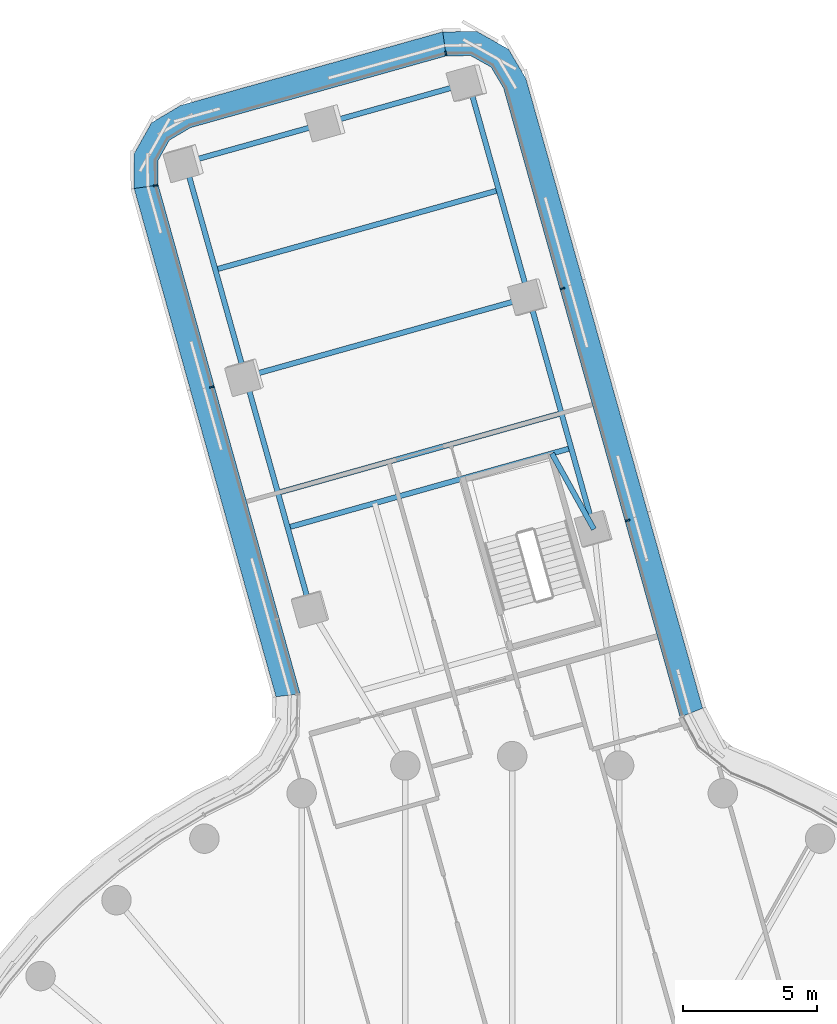
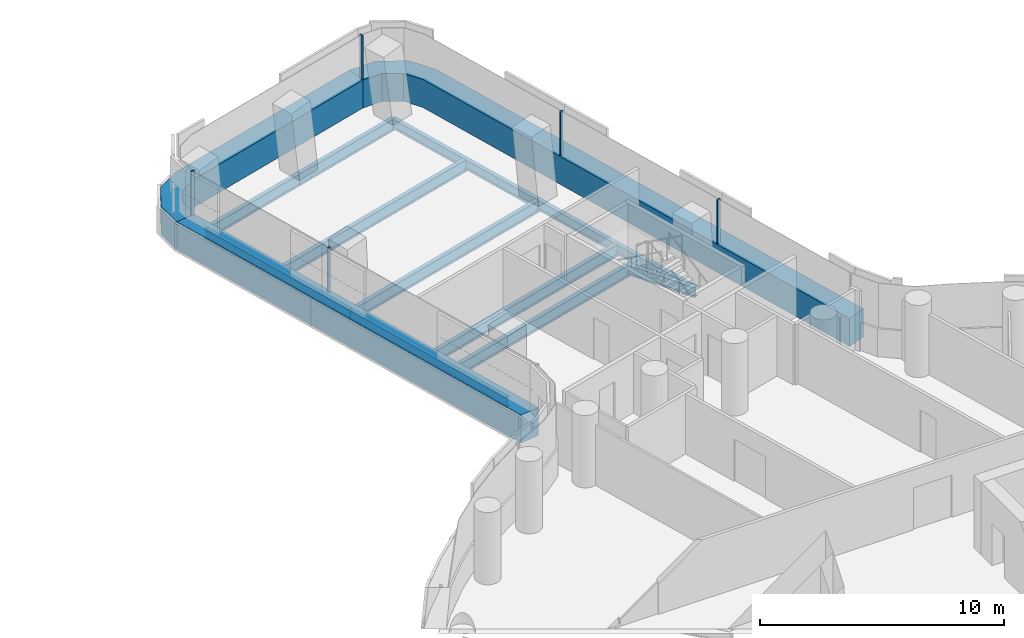
# One storey, part 15 of 30: 11 beams, 8 members, 3 elements without a shape of their own.
"""IFC4 building model written with IfcOpenShell, lengths in metres."""

from ifc_helpers import new_model, si_unit, direction, frame, origin, origin_2d, place, context, subcontext, project, spatial, polyline, rectangle, i_section, outline, extrude, material, layer, layer_set, material_profile, profile_set, type_object, element, aggregate, save


model = new_model("IFC4")

# Units and contexts
model_context = context("Model", 3, precision=1e-05, world=origin(), true_north=direction((0.0, 1.0)))
body_context = subcontext(model_context, "Body", "Model", "MODEL_VIEW")
ifc_project = project(units=[si_unit("LENGTHUNIT", "METRE"), si_unit("AREAUNIT", "SQUARE_METRE"), si_unit("VOLUMEUNIT", "CUBIC_METRE"), si_unit("PLANEANGLEUNIT", "RADIAN"), si_unit("MASSUNIT", "GRAM", prefix="KILO")], contexts=[model_context])

# Site, building, storey
site_placement = place(None, origin())
site = spatial("IfcSite", under=ifc_project, at=site_placement, CompositionType="ELEMENT")
building_placement = place(site_placement, origin())
building = spatial("IfcBuilding", under=site, at=building_placement, Name="Tamarind Cross Interchange Tower", CompositionType="ELEMENT")
storey_placement = place(building_placement, frame((0.0, 0.0, 91.0)))
storey = spatial("IfcBuildingStorey", under=building, at=storey_placement, Name="L21", CompositionType="ELEMENT", Elevation=91.0)

# Beams
ifc_material_1 = material(Name="Steel Q355B", Category="steel")
ifc_material_profile_1 = material_profile(ifc_material_1, i_section(OverallWidth=0.198974609375, OverallDepth=0.49609375, WebThickness=0.009033203125, FlangeThickness=0.013916015625, FilletRadius=0.012939453125, at=origin_2d()), Name="HN 496x199x9x14")
ifc_profile_set_1 = profile_set([ifc_material_profile_1], Name="Steel Q355B")
beam_type_1 = type_object("IfcBeamType", Name="Composite beam HN 496x199x9x14 Q355B", PredefinedType="BEAM", material=ifc_profile_set_1)
beam_1_placement = place(storey_placement, frame((-1.62353515625, 48.147216796875, -0.387939453125), z_axis=(0.270137474776, -0.962821761658, 0.0), x_axis=(0.962821761658, 0.270137474776, 0.0)))
element("IfcBeam", 1, at=beam_1_placement, inside=storey, type_object=beam_type_1, Name="Beam N-edgeem5", PredefinedType="BEAM", context=body_context, shape_type="SweptSolid", body=[
    extrude(i_section(OverallWidth=0.198974609375, OverallDepth=0.49609375, WebThickness=0.009033203125, FlangeThickness=0.013916015625, FilletRadius=0.012939453125, at=origin_2d()), origin(), (0.0, 0.0, 1.0), 8.313720703125),
])
beam_2_placement = place(storey_placement, frame((0.622314453125, 40.142578125, -0.387939453125), z_axis=(0.270124927, -0.96282528208, 0.0), x_axis=(0.96282528208, 0.270124927, 0.0)))
element("IfcBeam", 2, at=beam_2_placement, inside=storey, type_object=beam_type_1, Name="Beam N-edgeem6", PredefinedType="BEAM", context=body_context, shape_type="SweptSolid", body=[
    extrude(i_section(OverallWidth=0.198974609375, OverallDepth=0.49609375, WebThickness=0.009033203125, FlangeThickness=0.013916015625, FilletRadius=0.012939453125, at=origin_2d()), origin(), (0.0, 0.0, 1.0), 9.0),
])
beam_3_placement = place(storey_placement, frame((-12.214599609375, 45.17578125, -0.387939453125), z_axis=(0.270137474776, -0.962821761658, 0.0), x_axis=(0.962821761658, 0.270137474776, 0.0)))
element("IfcBeam", 3, at=beam_3_placement, inside=storey, type_object=beam_type_1, Name="Beam N-edgeep2", PredefinedType="BEAM", context=body_context, shape_type="SweptSolid", body=[
    extrude(i_section(OverallWidth=0.198974609375, OverallDepth=0.49609375, WebThickness=0.009033203125, FlangeThickness=0.013916015625, FilletRadius=0.012939453125, at=origin_2d()), origin(), (0.0, 0.0, 1.0), 8.313720703125),
])
beam_4_placement = place(storey_placement, frame((-9.96875, 37.171142578125, -0.387939453125), z_axis=(0.270124927, -0.96282528208, 0.0), x_axis=(0.96282528208, 0.270124927, 0.0)))
element("IfcBeam", 4, at=beam_4_placement, inside=storey, type_object=beam_type_1, Name="Beam N-edgeep3", PredefinedType="BEAM", context=body_context, shape_type="SweptSolid", body=[
    extrude(i_section(OverallWidth=0.198974609375, OverallDepth=0.49609375, WebThickness=0.009033203125, FlangeThickness=0.013916015625, FilletRadius=0.012939453125, at=origin_2d()), origin(), (0.0, 0.0, 1.0), 9.0),
])
beam_5_placement = place(storey_placement, frame((3.053466796875, 31.47705078125, -0.387939453125), z_axis=(-0.485783761039, 0.874079022463, 0.0), x_axis=(-0.874079022463, -0.485783761039, 0.0)))
element("IfcBeam", 5, at=beam_5_placement, inside=storey, type_object=beam_type_1, Name="Beam N-tr0", PredefinedType="BEAM", context=body_context, shape_type="SweptSolid", body=[
    extrude(i_section(OverallWidth=0.198974609375, OverallDepth=0.49609375, WebThickness=0.009033203125, FlangeThickness=0.013916015625, FilletRadius=0.012939453125, at=origin_2d()), origin(), (0.0, 0.0, 1.0), 3.238037109375),
])
ifc_material_profile_2 = material_profile(ifc_material_1, i_section(OverallWidth=0.199951171875, OverallDepth=0.60009765625, WebThickness=0.010986328125, FlangeThickness=0.01708984375, FilletRadius=0.012939453125, at=origin_2d()), Name="HN 600x200x11x17")
ifc_profile_set_2 = profile_set([ifc_material_profile_2], Name="Steel Q355B")
beam_type_2 = type_object("IfcBeamType", Name="Composite beam HN 600x200x11x17 Q355B", PredefinedType="BEAM", material=ifc_profile_set_2)
for number, where, z_axis, x_axis, name in (
    (6, (-1.62353515625, 48.147216796875, -0.43994140625), (-0.962816348398, -0.270156767928, 0.0), (0.270156767928, -0.962816348398, 0.0), "Beam N-tip0"),
    (7, (-6.9189453125, 46.661376953125, -0.43994140625), (-0.962831132592, -0.270104072741, 0.0), (0.270104072741, -0.962831132592, 0.0), "Beam N-tip1"),
):
    element("IfcBeam", number, at=place(storey_placement, frame(where, z_axis=z_axis, x_axis=x_axis)), inside=storey, type_object=beam_type_2, Name=name, PredefinedType="BEAM", context=body_context, shape_type="SweptSolid", body=[
        extrude(i_section(OverallWidth=0.199951171875, OverallDepth=0.60009765625, WebThickness=0.010986328125, FlangeThickness=0.01708984375, FilletRadius=0.012939453125, at=origin_2d()), origin(), (0.0, 0.0, 1.0), 5.5),
    ])
for number, where, z_axis, x_axis, name in (
    (8, (2.20263671875, 34.510009765625, -0.43994140625), (-0.962823740969, -0.27013042003, 0.0), (0.27013042003, -0.962823740969, 0.0), "Beam N-x334"),
    (9, (0.622314453125, 40.142578125, -0.43994140625), (-0.962823740969, -0.27013042003, 0.0), (0.27013042003, -0.962823740969, 0.0), "Beam N-x393"),
    (10, (1.837890625, 35.809814453125, -0.43994140625), (-0.962823740969, -0.27013042003, 0.0), (0.27013042003, -0.962823740969, 0.0), "Beam N-x348"),
    (11, (-0.50048828125, 44.144775390625, -0.43994140625), (-0.962823740969, -0.27013042003, 0.0), (0.27013042003, -0.962823740969, 0.0), "Beam N-x435"),
):
    element("IfcBeam", number, at=place(storey_placement, frame(where, z_axis=z_axis, x_axis=x_axis)), inside=storey, type_object=beam_type_2, Name=name, PredefinedType="BEAM", context=body_context, shape_type="SweptSolid", body=[
        extrude(i_section(OverallWidth=0.199951171875, OverallDepth=0.60009765625, WebThickness=0.010986328125, FlangeThickness=0.01708984375, FilletRadius=0.012939453125, at=origin_2d()), origin(), (0.0, 0.0, 1.0), 11.0),
    ])

# Curtain wall, member
ifc_material_2 = material(Name="Aluminium 6063-T6", Category="aluminium")
ifc_layer = layer(ifc_material_2, 0.159912109375)
ifc_layer_set = layer_set([ifc_layer], Name="Aluminium 6063-T6")
curtain_wall_type = type_object("IfcCurtainWallType", Name="Office curtain wall, 9.0 m bays", PredefinedType="NOTDEFINED", material=ifc_layer_set)
curtain_wall_1_placement = place(storey_placement, origin())
curtain_wall_1 = element("IfcCurtainWall", 12, at=curtain_wall_1_placement, inside=storey, type_object=curtain_wall_type, Name="CWS-L21-07", PredefinedType="NOTDEFINED")
ifc_material_3 = material(Name="Aluminium and insulated spandrel panel", Category="aluminium")
member_type_1 = type_object("IfcMemberType", Name="Floor-edge blade transom", PredefinedType="USERDEFINED", material=ifc_material_3)
member_1_placement = place(storey_placement, origin())
member_1 = element("IfcMember", 13, at=member_1_placement, type_object=member_type_1, Name="CWT-L21-07", ObjectType="TRANSOM", PredefinedType="USERDEFINED", context=body_context, shape_type="SweptSolid", body=[
    extrude(outline(polyline([(6.27001953125, 24.455078125), (-0.322265625, 47.951904296875), (-0.789306640625, 48.7392578125), (-1.5517578125, 49.16748046875), (-2.467041015625, 49.15673828125), (-2.59619140625, 50.055419921875), (-1.321044921875, 50.0703125), (-0.13818359375, 49.40576171875), (0.51220703125, 48.30908203125), (7.11083984375, 24.78955078125), (6.27001953125, 24.455078125)])), origin(), (0.0, 0.0, 1.0), 1.39990234375),
])

curtain_wall_2_placement = place(storey_placement, origin())
curtain_wall_2 = element("IfcCurtainWall", 14, at=curtain_wall_2_placement, inside=storey, type_object=curtain_wall_type, Name="CWS-L21-08", PredefinedType="NOTDEFINED")
member_2_placement = place(storey_placement, origin())
member_2 = element("IfcMember", 15, at=member_2_placement, type_object=member_type_1, Name="CWT-L21-08", ObjectType="TRANSOM", PredefinedType="USERDEFINED", context=body_context, shape_type="SweptSolid", body=[
    extrude(outline(polyline([(-2.467041015625, 49.15673828125), (-12.019287109375, 46.476806640625), (-12.806640625, 46.009765625), (-13.23486328125, 45.24755859375), (-13.22412109375, 44.33203125), (-14.122802734375, 44.20361328125), (-14.1376953125, 45.47802734375), (-13.47314453125, 46.660888671875), (-12.37646484375, 47.311279296875), (-2.59619140625, 50.055419921875), (-2.467041015625, 49.15673828125)])), origin(), (0.0, 0.0, 1.0), 1.39990234375),
])

curtain_wall_3_placement = place(storey_placement, origin())
curtain_wall_3 = element("IfcCurtainWall", 16, at=curtain_wall_3_placement, inside=storey, type_object=curtain_wall_type, Name="CWS-L21-09", PredefinedType="NOTDEFINED")
member_3_placement = place(storey_placement, origin())
member_3 = element("IfcMember", 17, at=member_3_placement, type_object=member_type_1, Name="CWT-L21-09", ObjectType="TRANSOM", PredefinedType="USERDEFINED", context=body_context, shape_type="SweptSolid", body=[
    extrude(outline(polyline([(-13.22412109375, 44.33203125), (-7.920166015625, 25.32861328125), (-8.82373046875, 25.218017578125), (-14.122802734375, 44.20361328125), (-13.22412109375, 44.33203125)])), origin(), (0.0, 0.0, 1.0), 1.39990234375),
])

# Member
ifc_material_profile_3 = material_profile(ifc_material_2, rectangle(XDim=0.06005859375, YDim=0.159912109375, at=origin_2d()), Name="Mullion CW1")
ifc_profile_set_3 = profile_set([ifc_material_profile_3], Name="Aluminium 6063-T6")
member_type_2 = type_object("IfcMemberType", Name="Mullion CW1", PredefinedType="MULLION", material=ifc_profile_set_3)
member_4_placement = place(storey_placement, frame((4.311279296875, 31.806396484375, 1.39990234375), z_axis=(0.0, 0.0, 1.0), x_axis=(-0.270129953744, 0.962823871791, 0.0)))
member_4 = element("IfcMember", 18, at=member_4_placement, type_object=member_type_2, Name="CWM-L21-07-01", PredefinedType="MULLION", context=body_context, shape_type="SweptSolid", body=[
    extrude(rectangle(XDim=0.06005859375, YDim=0.159912109375, at=origin_2d()), origin(), (0.0, 0.0, 1.0), 2.210205078125),
])

member_5_placement = place(storey_placement, frame((1.880615234375, 40.469970703125, 1.39990234375), z_axis=(0.0, 0.0, 1.0), x_axis=(-0.270129953744, 0.962823871791, 0.0)))
member_5 = element("IfcMember", 19, at=member_5_placement, type_object=member_type_2, Name="CWM-L21-07-02", PredefinedType="MULLION", context=body_context, shape_type="SweptSolid", body=[
    extrude(rectangle(XDim=0.06005859375, YDim=0.159912109375, at=origin_2d()), origin(), (0.0, 0.0, 1.0), 2.210205078125),
])

aggregate(curtain_wall_1, [member_4, member_5, member_1])

member_6_placement = place(storey_placement, frame((-2.4814453125, 49.256591796875, 1.39990234375), z_axis=(0.0, 0.0, 1.0), x_axis=(-0.989845814362, -0.142145220779, 0.0)))
member_6 = element("IfcMember", 20, at=member_6_placement, type_object=member_type_2, Name="CWM-L21-08-00", PredefinedType="MULLION", context=body_context, shape_type="SweptSolid", body=[
    extrude(rectangle(XDim=0.06005859375, YDim=0.159912109375, at=origin_2d()), origin(), (0.0, 0.0, 1.0), 2.210205078125),
])

aggregate(curtain_wall_2, [member_6, member_2])

member_7_placement = place(storey_placement, frame((-13.323974609375, 44.317626953125, 1.39990234375), z_axis=(0.0, 0.0, 1.0), x_axis=(0.141477442021, -0.989941479785, 0.0)))
member_7 = element("IfcMember", 21, at=member_7_placement, type_object=member_type_2, Name="CWM-L21-09-00", PredefinedType="MULLION", context=body_context, shape_type="SweptSolid", body=[
    extrude(rectangle(XDim=0.06005859375, YDim=0.159912109375, at=origin_2d()), origin(), (0.0, 0.0, 1.0), 2.210205078125),
])

member_8_placement = place(storey_placement, frame((-11.22314453125, 36.7900390625, 1.39990234375), z_axis=(0.0, 0.0, 1.0), x_axis=(0.26883067316, -0.963187452767, 0.0)))
member_8 = element("IfcMember", 22, at=member_8_placement, type_object=member_type_2, Name="CWM-L21-09-01", PredefinedType="MULLION", context=body_context, shape_type="SweptSolid", body=[
    extrude(rectangle(XDim=0.06005859375, YDim=0.159912109375, at=origin_2d()), origin(), (0.0, 0.0, 1.0), 2.210205078125),
])

aggregate(curtain_wall_3, [member_7, member_8, member_3])

save(model, "model.ifc")
